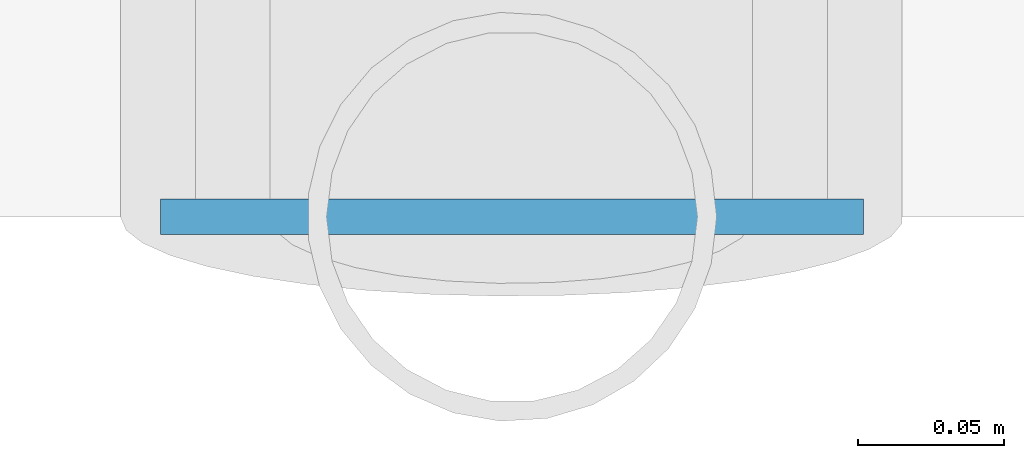
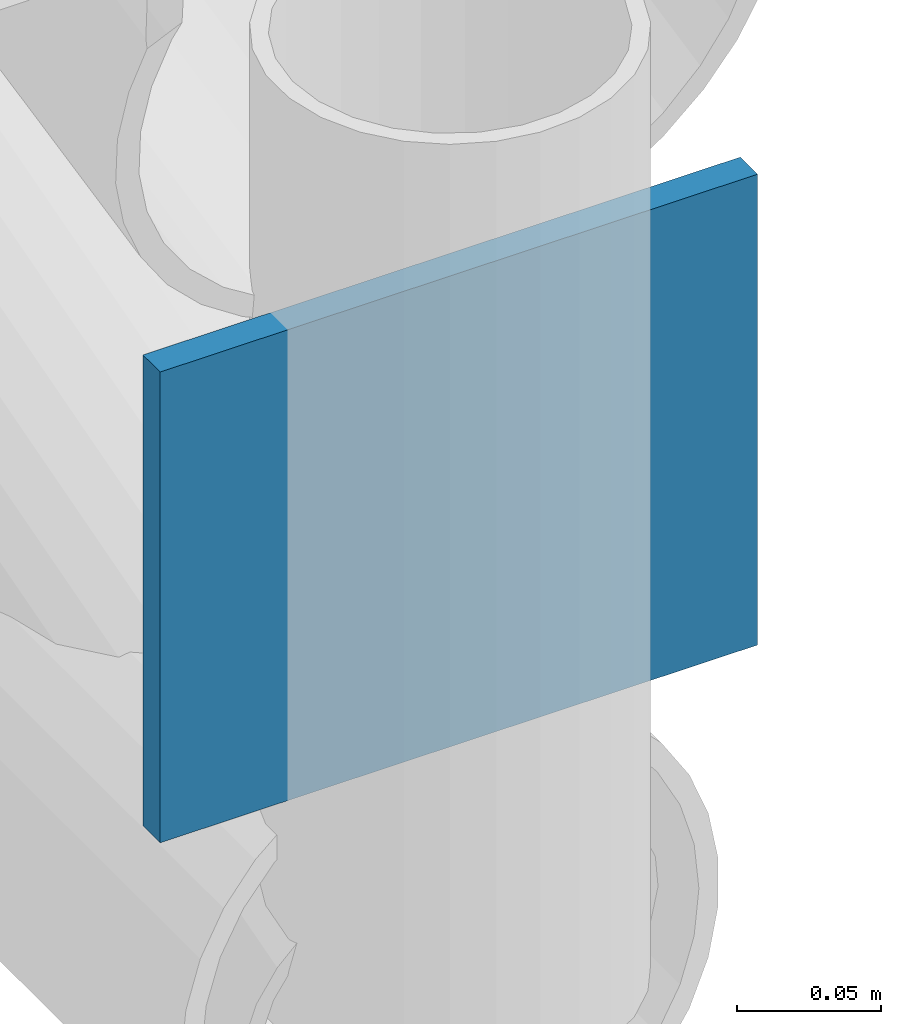
# One storey, part 180 of 194: 1 plate.
"""IFC4 building model written with IfcOpenShell, lengths in metres."""

from ifc_helpers import new_model, si_unit, direction, frame, origin, origin_2d, place, context, subcontext, project, spatial, rectangle, extrude, material, layer, layer_set, type_object, element, save


model = new_model("IFC4")

# Units and contexts
model_context = context("Model", 3, precision=1e-05, world=origin(), true_north=direction((0.0, 1.0)))
body_context = subcontext(model_context, "Body", "Model", "MODEL_VIEW")
ifc_project = project(units=[si_unit("LENGTHUNIT", "METRE"), si_unit("AREAUNIT", "SQUARE_METRE"), si_unit("VOLUMEUNIT", "CUBIC_METRE"), si_unit("PLANEANGLEUNIT", "RADIAN"), si_unit("MASSUNIT", "GRAM", prefix="KILO")], contexts=[model_context])

# Site, building, storey
site_placement = place(None, origin())
site = spatial("IfcSite", under=ifc_project, at=site_placement, CompositionType="ELEMENT")
building_placement = place(site_placement, origin())
building = spatial("IfcBuilding", under=site, at=building_placement, Name="Kazenagashi Tramway Depot", CompositionType="ELEMENT")
storey_placement = place(building_placement, frame((0.0, 0.0, 23.7)))
storey = spatial("IfcBuildingStorey", under=building, at=storey_placement, Name="ROOF", CompositionType="ELEMENT", Elevation=23.7)

# Plate
ifc_material = material(Name="Steel STK490", Category="steel")
ifc_layer = layer(ifc_material, 0.012)
ifc_layer_set = layer_set([ifc_layer], Name="Steel STK490")
plate_type = type_object("IfcPlateType", Name="EC-08", PredefinedType="USERDEFINED", material=ifc_layer_set)
plate_placement = place(storey_placement, frame((187.6, 70.0, -14.0), z_axis=(0.0, 0.0, 1.0), x_axis=(1.0, 0.0, 0.0)))
element("IfcPlate", 1, at=plate_placement, inside=storey, type_object=plate_type, Name="Structural Node Plate EC-08 PLT-0071", ObjectType="END CAP PLATE", PredefinedType="USERDEFINED", context=body_context, shape_type="SweptSolid", body=[
    extrude(rectangle(XDim=0.24, YDim=0.012, at=origin_2d()), origin(), (0.0, 0.0, 1.0), 0.2),
])

save(model, "model.ifc")
